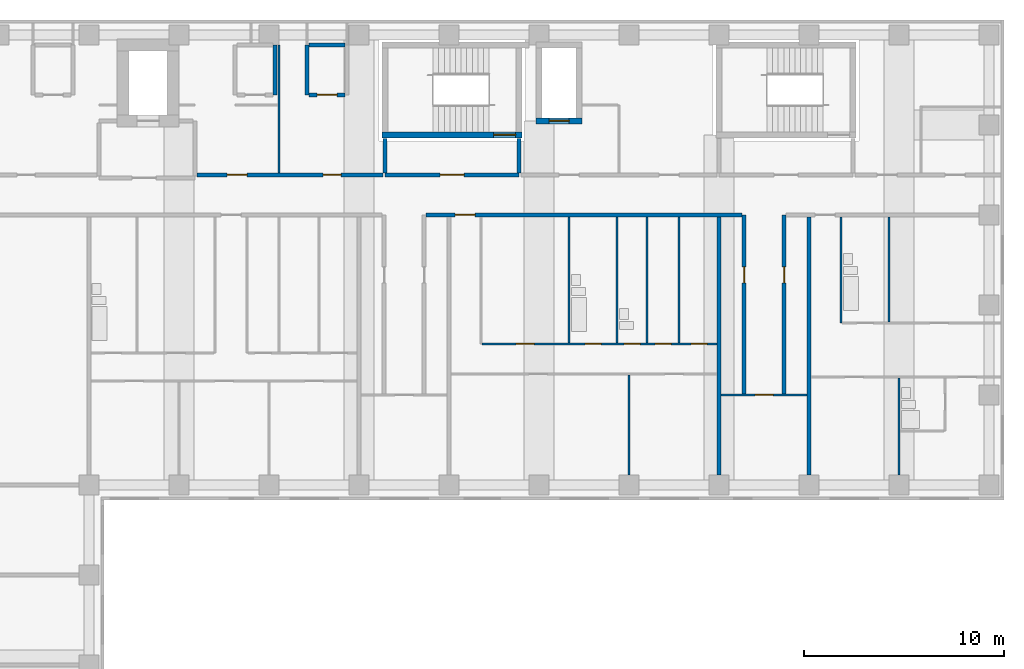
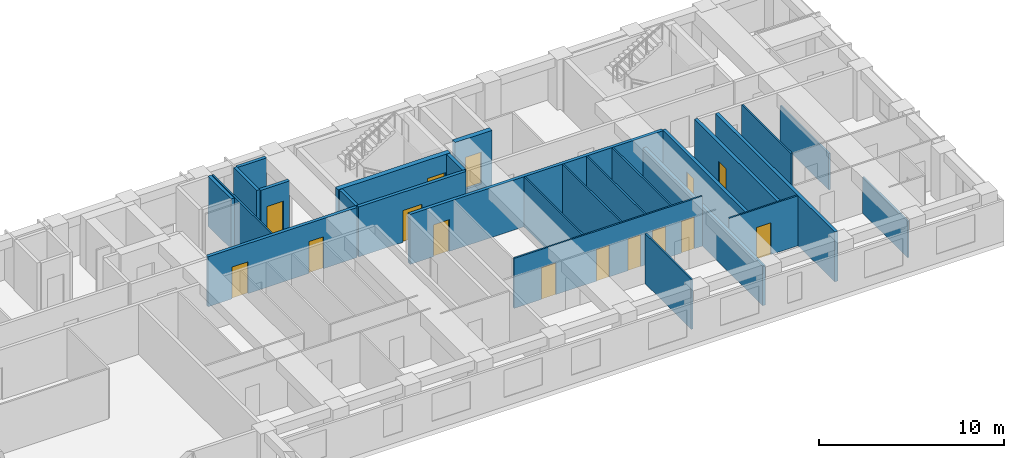
# One storey, part 7 of 11: 26 walls, 15 doors, 15 openings.
"""IFC4 building model written with IfcOpenShell, lengths in metres."""

from ifc_helpers import new_model, si_unit, direction, frame, frame_2d, origin, place, context, subcontext, project, spatial, rectangle, extrude, material, layer, layer_set, type_object, element, fill, save


model = new_model("IFC4")

# Units and contexts
model_context = context("Model", 3, precision=1e-05, world=origin(), true_north=direction((0.0, 1.0)))
body_context = subcontext(model_context, "Body", "Model", "MODEL_VIEW")
ifc_project = project(units=[si_unit("LENGTHUNIT", "METRE"), si_unit("AREAUNIT", "SQUARE_METRE"), si_unit("VOLUMEUNIT", "CUBIC_METRE"), si_unit("PLANEANGLEUNIT", "RADIAN"), si_unit("MASSUNIT", "GRAM", prefix="KILO")], contexts=[model_context])

# Site, building, storey
site_placement = place(None, origin())
site = spatial("IfcSite", under=ifc_project, at=site_placement, CompositionType="ELEMENT")
building_placement = place(site_placement, origin())
building = spatial("IfcBuilding", under=site, at=building_placement, Name="Firuza Court", CompositionType="ELEMENT")
storey_placement = place(building_placement, frame((0.0, 0.0, 130.39990234375)))
storey = spatial("IfcBuildingStorey", under=building, at=storey_placement, Name="L32", CompositionType="ELEMENT", Elevation=130.39990234375)

# Walls
ifc_material_1 = material(Name="Moisture-resistant gypsum board partition")
ifc_layer_1 = layer(ifc_material_1, 0.10009765625)
ifc_layer_set_1 = layer_set([ifc_layer_1], Name="Moisture-resistant gypsum board partition")
wall_type_1 = type_object("IfcWallType", Name="Bathroom partition 100", PredefinedType="PLUMBINGWALL", material=ifc_layer_set_1)
for number, where, z_axis, x_axis, name in (
    (1, (46.5, 43.10009765625, 0.0), (0.0, 0.0, 1.0), (0.0, 1.0, 0.0), "Bathroom partition 100 L32"),
    (2, (48.89990234375, 43.10009765625, 0.0), (0.0, 0.0, 1.0), (0.0, 1.0, 0.0), "Bathroom partition 100 L32"),
    (3, (50.39990234375, 43.10009765625, 0.0), (0.0, 0.0, 1.0), (0.0, 1.0, 0.0), "Bathroom partition 100 L32"),
):
    element("IfcWall", number, at=place(storey_placement, frame(where, z_axis=z_axis, x_axis=x_axis)), inside=storey, type_object=wall_type_1, Name=name, PredefinedType="PLUMBINGWALL", context=body_context, shape_type="SweptSolid", body=[
        extrude(rectangle(XDim=6.2998046875, YDim=0.10009765625, at=frame_2d((3.14990234375, 0.0))), origin(), (0.0, 0.0, 1.0), 3.300048828125),
    ])
wall_1_placement = place(storey_placement, frame((60.10009765625, 44.10009765625, 0.0), z_axis=(0.0, 0.0, 1.0), x_axis=(0.0, 1.0, 0.0)))
element("IfcWall", 4, at=wall_1_placement, inside=storey, type_object=wall_type_1, Name="Bathroom partition 100 L32", PredefinedType="PLUMBINGWALL", context=body_context, shape_type="SweptSolid", body=[
    extrude(rectangle(XDim=5.2998046875, YDim=0.10009765625, at=frame_2d((2.64990234375, 0.0))), origin(), (0.0, 0.0, 1.0), 3.300048828125),
])
wall_2_placement = place(storey_placement, frame((62.5, 44.14990234375, 0.0), z_axis=(0.0, 0.0, 1.0), x_axis=(0.0, 1.0, 0.0)))
element("IfcWall", 5, at=wall_2_placement, inside=storey, type_object=wall_type_1, Name="Bathroom partition 100 L32", PredefinedType="PLUMBINGWALL", context=body_context, shape_type="SweptSolid", body=[
    extrude(rectangle(XDim=5.25, YDim=0.10009765625, at=frame_2d((2.625, 0.0))), origin(), (0.0, 0.0, 1.0), 2.400146484375),
])

# Wall, opening, door
ifc_material_2 = material(Name="Concrete C60/75", Category="concrete")
ifc_layer_2 = layer(ifc_material_2, 0.300048828125)
ifc_layer_set_2 = layer_set([ifc_layer_2], Name="Concrete C60/75")
wall_type_2 = type_object("IfcWallType", Name="Core wall 300 C60/75", PredefinedType="SHEAR", material=ifc_layer_set_2)
wall_3_placement = place(storey_placement, frame((37.14990234375, 53.5, -0.2998046875), z_axis=(0.0, 0.0, 1.0), x_axis=(1.0, 0.0, 0.0)))
wall_3 = element("IfcWall", 6, at=wall_3_placement, inside=storey, type_object=wall_type_2, Name="Core wall stair L32", PredefinedType="SHEAR", context=body_context, shape_type="SweptSolid", body=[
    extrude(rectangle(XDim=7.0, YDim=0.300048828125, at=frame_2d((3.5, 0.0))), origin(), (0.0, 0.0, 1.0), 3.599853515625),
])
opening_1_placement = place(wall_3_placement, frame((5.580078125, 0.0, 0.300048828125)))
opening_1 = element("IfcOpeningElement", 7, at=opening_1_placement, cuts=wall_3, Name="Opening D32012", PredefinedType="OPENING", context=body_context, shape_type="SweptSolid", body=[
    extrude(rectangle(XDim=1.10009765625, YDim=2.10009765625, at=frame_2d((0.550048828125, 1.050048828125))), frame((0.0, 0.162109375, 0.0), z_axis=(0.0, -1.0, 0.0), x_axis=(1.0, 0.0, 0.0)), (0.0, 0.0, 1.0), 0.323974609375),
])
ifc_material_3 = material(Name="Timber door leaf in hardwood frame", Category="wood")
door_type_1 = type_object("IfcDoorType", Name="Stair door 1100", OperationType="SINGLE_SWING_LEFT", PredefinedType="DOOR", material=ifc_material_3)
door_1_placement = place(opening_1_placement, origin())
door_1 = element("IfcDoor", 8, at=door_1_placement, inside=storey, type_object=door_type_1, Name="Stair door S1", OperationType="SINGLE_SWING_RIGHT", OverallHeight=2.10009765625, OverallWidth=1.10009765625, PredefinedType="DOOR", context=body_context, shape_type="SweptSolid", body=[
    extrude(rectangle(XDim=1.10009765625, YDim=2.10009765625, at=frame_2d((0.550048828125, 1.050048828125))), frame((0.0, 0.02490234375, 0.0), z_axis=(0.0, -1.0, 0.0), x_axis=(1.0, 0.0, 0.0)), (0.0, 0.0, 1.0), 0.050048828125),
])
fill(opening_1, door_1)

wall_4_placement = place(storey_placement, frame((44.85009765625, 54.199951171875, -0.2998046875), z_axis=(0.0, 0.0, 1.0), x_axis=(1.0, 0.0, 0.0)))
wall_4 = element("IfcWall", 9, at=wall_4_placement, inside=storey, type_object=wall_type_2, Name="Core wall riser L32", PredefinedType="SHEAR", context=body_context, shape_type="SweptSolid", body=[
    extrude(rectangle(XDim=2.2998046875, YDim=0.300048828125, at=frame_2d((1.14990234375, 0.0))), origin(), (0.0, 0.0, 1.0), 3.599853515625),
])
opening_2_placement = place(wall_4_placement, frame((0.64990234375, 0.0, 0.300048828125)))
opening_2 = element("IfcOpeningElement", 10, at=opening_2_placement, cuts=wall_4, Name="Opening D32010", PredefinedType="OPENING", context=body_context, shape_type="SweptSolid", body=[
    extrude(rectangle(XDim=1.0, YDim=2.10009765625, at=frame_2d((0.5, 1.050048828125))), frame((0.0, 0.162109375, 0.0), z_axis=(0.0, -1.0, 0.0), x_axis=(1.0, 0.0, 0.0)), (0.0, 0.0, 1.0), 0.323974609375),
])
ifc_material_4 = material(Name="Timber door leaf in hardwood frame", Category="wood")
door_type_2 = type_object("IfcDoorType", Name="Riser door 1000", OperationType="SINGLE_SWING_LEFT", PredefinedType="DOOR", material=ifc_material_4)
door_2_placement = place(opening_2_placement, origin())
door_2 = element("IfcDoor", 11, at=door_2_placement, inside=storey, type_object=door_type_2, Name="Riser door R3", OperationType="SINGLE_SWING_LEFT", OverallHeight=2.10009765625, OverallWidth=1.0, PredefinedType="DOOR", context=body_context, shape_type="SweptSolid", body=[
    extrude(rectangle(XDim=1.0, YDim=2.10009765625, at=frame_2d((0.5, 1.050048828125))), frame((0.0, 0.02490234375, 0.0), z_axis=(0.0, -1.0, 0.0), x_axis=(1.0, 0.0, 0.0)), (0.0, 0.0, 1.0), 0.050048828125),
])
fill(opening_2, door_2)

ifc_material_5 = material(Name="Blockwork, plastered both sides", Category="masonry")
ifc_layer_3 = layer(ifc_material_5, 0.199951171875)
ifc_layer_set_3 = layer_set([ifc_layer_3], Name="Blockwork, plastered both sides")
wall_type_3 = type_object("IfcWallType", Name="Corridor wall 200", PredefinedType="PARTITIONING", material=ifc_layer_set_3)
wall_5_placement = place(storey_placement, frame((55.25, 40.550048828125, 0.0), z_axis=(0.0, 0.0, 1.0), x_axis=(0.0, 1.0, 0.0)))
wall_5 = element("IfcWall", 12, at=wall_5_placement, inside=storey, type_object=wall_type_3, Name="Corridor wall 200 L32", PredefinedType="PARTITIONING", context=body_context, shape_type="SweptSolid", body=[
    extrude(rectangle(XDim=8.949951171875, YDim=0.199951171875, at=frame_2d((4.47509765625, 0.0))), origin(), (0.0, 0.0, 1.0), 3.300048828125),
])
opening_3_placement = place(wall_5_placement, frame((5.550048828125, 0.0, 0.0)))
opening_3 = element("IfcOpeningElement", 13, at=opening_3_placement, cuts=wall_5, Name="Opening D32043", PredefinedType="OPENING", context=body_context, shape_type="SweptSolid", body=[
    extrude(rectangle(XDim=0.800048828125, YDim=2.10009765625, at=frame_2d((0.39990234375, 1.050048828125))), frame((0.0, 0.11181640625, 0.0), z_axis=(0.0, -1.0, 0.0), x_axis=(1.0, 0.0, 0.0)), (0.0, 0.0, 1.0), 0.223876953125),
])
ifc_material_6 = material(Name="Timber door leaf in hardwood frame", Category="wood")
door_type_3 = type_object("IfcDoorType", Name="Room door 800 EI 30", OperationType="SINGLE_SWING_LEFT", PredefinedType="DOOR", material=ifc_material_6)
door_3_placement = place(opening_3_placement, origin())
door_3 = element("IfcDoor", 14, at=door_3_placement, inside=storey, type_object=door_type_3, Name="Store door", OperationType="SINGLE_SWING_RIGHT", OverallHeight=2.10009765625, OverallWidth=0.800048828125, PredefinedType="DOOR", context=body_context, shape_type="SweptSolid", body=[
    extrude(rectangle(XDim=0.800048828125, YDim=2.10009765625, at=frame_2d((0.39990234375, 1.050048828125))), frame((0.0, 0.02490234375, 0.0), z_axis=(0.0, -1.0, 0.0), x_axis=(1.0, 0.0, 0.0)), (0.0, 0.0, 1.0), 0.050048828125),
])
fill(opening_3, door_3)

wall_6_placement = place(storey_placement, frame((57.25, 40.550048828125, 0.0), z_axis=(0.0, 0.0, 1.0), x_axis=(0.0, 1.0, 0.0)))
wall_6 = element("IfcWall", 15, at=wall_6_placement, inside=storey, type_object=wall_type_3, Name="Corridor wall 200 L32", PredefinedType="PARTITIONING", context=body_context, shape_type="SweptSolid", body=[
    extrude(rectangle(XDim=8.949951171875, YDim=0.199951171875, at=frame_2d((4.47509765625, 0.0))), origin(), (0.0, 0.0, 1.0), 3.300048828125),
])
opening_4_placement = place(wall_6_placement, frame((5.550048828125, 0.0, 0.0)))
opening_4 = element("IfcOpeningElement", 16, at=opening_4_placement, cuts=wall_6, Name="Opening D32044", PredefinedType="OPENING", context=body_context, shape_type="SweptSolid", body=[
    extrude(rectangle(XDim=0.800048828125, YDim=2.10009765625, at=frame_2d((0.39990234375, 1.050048828125))), frame((0.0, 0.11181640625, 0.0), z_axis=(0.0, -1.0, 0.0), x_axis=(1.0, 0.0, 0.0)), (0.0, 0.0, 1.0), 0.223876953125),
])
door_4_placement = place(opening_4_placement, frame((0.800048828125, 0.0, 0.0), z_axis=(0.0, 0.0, 1.0), x_axis=(-1.0, 0.0, 0.0)))
door_4 = element("IfcDoor", 17, at=door_4_placement, inside=storey, type_object=door_type_3, Name="Store door", OperationType="SINGLE_SWING_LEFT", OverallHeight=2.10009765625, OverallWidth=0.800048828125, PredefinedType="DOOR", context=body_context, shape_type="SweptSolid", body=[
    extrude(rectangle(XDim=0.800048828125, YDim=2.10009765625, at=frame_2d((0.39990234375, 1.050048828125))), frame((0.0, 0.02490234375, 0.0), z_axis=(0.0, -1.0, 0.0), x_axis=(1.0, 0.0, 0.0)), (0.0, 0.0, 1.0), 0.050048828125),
])
fill(opening_4, door_4)

wall_7_placement = place(storey_placement, frame((39.35009765625, 49.5, 0.0), z_axis=(0.0, 0.0, 1.0), x_axis=(1.0, 0.0, 0.0)))
wall_7 = element("IfcWall", 18, at=wall_7_placement, inside=storey, type_object=wall_type_3, Name="Corridor wall 200 L32", PredefinedType="PARTITIONING", context=body_context, shape_type="SweptSolid", body=[
    extrude(rectangle(XDim=15.7998046875, YDim=0.199951171875, at=frame_2d((7.89990234375, 0.0))), origin(), (0.0, 0.0, 1.0), 3.300048828125),
])
opening_5_placement = place(wall_7_placement, frame((1.449951171875, 0.0, 0.0)))
opening_5 = element("IfcOpeningElement", 19, at=opening_5_placement, cuts=wall_7, Name="Opening D32066", PredefinedType="OPENING", context=body_context, shape_type="SweptSolid", body=[
    extrude(rectangle(XDim=1.0, YDim=2.10009765625, at=frame_2d((0.5, 1.050048828125))), frame((0.0, 0.11181640625, 0.0), z_axis=(0.0, -1.0, 0.0), x_axis=(1.0, 0.0, 0.0)), (0.0, 0.0, 1.0), 0.223876953125),
])
ifc_material_7 = material(Name="Timber door leaf in hardwood frame", Category="wood")
door_type_4 = type_object("IfcDoorType", Name="Flat entrance door 1000", OperationType="SINGLE_SWING_LEFT", PredefinedType="DOOR", material=ifc_material_7)
door_5_placement = place(opening_5_placement, origin())
door_5 = element("IfcDoor", 20, at=door_5_placement, inside=storey, type_object=door_type_4, Name="Flat entrance door", OperationType="SINGLE_SWING_LEFT", OverallHeight=2.10009765625, OverallWidth=1.0, PredefinedType="DOOR", context=body_context, shape_type="SweptSolid", body=[
    extrude(rectangle(XDim=1.0, YDim=2.10009765625, at=frame_2d((0.5, 1.050048828125))), frame((0.0, 0.02490234375, 0.0), z_axis=(0.0, -1.0, 0.0), x_axis=(1.0, 0.0, 0.0)), (0.0, 0.0, 1.0), 0.050048828125),
])
fill(opening_5, door_5)

# Wall, openings, doors
wall_8_placement = place(storey_placement, frame((27.89990234375, 51.5, 0.0), z_axis=(0.0, 0.0, 1.0), x_axis=(1.0, 0.0, 0.0)))
wall_8 = element("IfcWall", 21, at=wall_8_placement, inside=storey, type_object=wall_type_3, Name="Corridor wall 200 L32", PredefinedType="PARTITIONING", context=body_context, shape_type="SweptSolid", body=[
    extrude(rectangle(XDim=9.300048828125, YDim=0.199951171875, at=frame_2d((4.64990234375, 0.0))), origin(), (0.0, 0.0, 1.0), 3.300048828125),
])
opening_6_placement = place(wall_8_placement, frame((1.5, 0.0, 0.0)))
opening_6 = element("IfcOpeningElement", 22, at=opening_6_placement, cuts=wall_8, Name="Opening D32070", PredefinedType="OPENING", context=body_context, shape_type="SweptSolid", body=[
    extrude(rectangle(XDim=1.0, YDim=2.10009765625, at=frame_2d((0.5, 1.050048828125))), frame((0.0, 0.11181640625, 0.0), z_axis=(0.0, -1.0, 0.0), x_axis=(1.0, 0.0, 0.0)), (0.0, 0.0, 1.0), 0.223876953125),
])
opening_7_placement = place(wall_8_placement, frame((6.300048828125, 0.0, 0.0)))
opening_7 = element("IfcOpeningElement", 23, at=opening_7_placement, cuts=wall_8, Name="Opening D32071", PredefinedType="OPENING", context=body_context, shape_type="SweptSolid", body=[
    extrude(rectangle(XDim=0.89990234375, YDim=2.10009765625, at=frame_2d((0.449951171875, 1.050048828125))), frame((0.0, 0.11181640625, 0.0), z_axis=(0.0, -1.0, 0.0), x_axis=(1.0, 0.0, 0.0)), (0.0, 0.0, 1.0), 0.223876953125),
])
ifc_material_8 = material(Name="Timber door leaf in hardwood frame", Category="wood")
door_type_5 = type_object("IfcDoorType", Name="Room door 900 EI 30", OperationType="SINGLE_SWING_LEFT", PredefinedType="DOOR", material=ifc_material_8)
door_6_placement = place(opening_7_placement, origin())
door_6 = element("IfcDoor", 24, at=door_6_placement, inside=storey, type_object=door_type_5, Name="Staff pantry door", OperationType="SINGLE_SWING_LEFT", OverallHeight=2.10009765625, OverallWidth=0.89990234375, PredefinedType="DOOR", context=body_context, shape_type="SweptSolid", body=[
    extrude(rectangle(XDim=0.89990234375, YDim=2.10009765625, at=frame_2d((0.449951171875, 1.050048828125))), frame((0.0, 0.02490234375, 0.0), z_axis=(0.0, -1.0, 0.0), x_axis=(1.0, 0.0, 0.0)), (0.0, 0.0, 1.0), 0.050048828125),
])
fill(opening_7, door_6)
ifc_material_9 = material(Name="Timber door leaf in hardwood frame", Category="wood")
door_type_6 = type_object("IfcDoorType", Name="Store door 1000", OperationType="SINGLE_SWING_LEFT", PredefinedType="DOOR", material=ifc_material_9)
door_7_placement = place(opening_6_placement, origin())
door_7 = element("IfcDoor", 25, at=door_7_placement, inside=storey, type_object=door_type_6, Name="Parcel room door", OperationType="SINGLE_SWING_LEFT", OverallHeight=2.10009765625, OverallWidth=1.0, PredefinedType="DOOR", context=body_context, shape_type="SweptSolid", body=[
    extrude(rectangle(XDim=1.0, YDim=2.10009765625, at=frame_2d((0.5, 1.050048828125))), frame((0.0, 0.02490234375, 0.0), z_axis=(0.0, -1.0, 0.0), x_axis=(1.0, 0.0, 0.0)), (0.0, 0.0, 1.0), 0.050048828125),
])
fill(opening_6, door_7)

# Walls
ifc_material_10 = material(Name="Timber stud partition, plasterboard both sides", Category="wood")
ifc_layer_4 = layer(ifc_material_10, 0.10009765625)
ifc_layer_set_4 = layer_set([ifc_layer_4], Name="Timber stud partition, plasterboard both sides")
wall_type_4 = type_object("IfcWallType", Name="Partition wall 100", PredefinedType="PARTITIONING", material=ifc_layer_set_4)
wall_9_placement = place(storey_placement, frame((49.5, 36.5, 0.0), z_axis=(0.0, 0.0, 1.0), x_axis=(0.0, 1.0, 0.0)))
element("IfcWall", 26, at=wall_9_placement, inside=storey, type_object=wall_type_4, Name="Partition wall 100 L32", PredefinedType="PARTITIONING", context=body_context, shape_type="SweptSolid", body=[
    extrude(rectangle(XDim=5.0, YDim=0.10009765625, at=frame_2d((2.5, 0.0))), origin(), (0.0, 0.0, 1.0), 3.300048828125),
])
wall_10_placement = place(storey_placement, frame((63.0, 36.5, 0.0), z_axis=(0.0, 0.0, 1.0), x_axis=(0.0, 1.0, 0.0)))
element("IfcWall", 27, at=wall_10_placement, inside=storey, type_object=wall_type_4, Name="Partition wall 100 L32", PredefinedType="PARTITIONING", context=body_context, shape_type="SweptSolid", body=[
    extrude(rectangle(XDim=4.85009765625, YDim=0.10009765625, at=frame_2d((2.425048828125, 0.0))), origin(), (0.0, 0.0, 1.0), 2.400146484375),
])

# Wall, opening, door
wall_11_placement = place(storey_placement, frame((54.10009765625, 40.5, 0.0), z_axis=(0.0, 0.0, 1.0), x_axis=(1.0, 0.0, 0.0)))
wall_11 = element("IfcWall", 28, at=wall_11_placement, inside=storey, type_object=wall_type_4, Name="Partition wall 100 L32", PredefinedType="PARTITIONING", context=body_context, shape_type="SweptSolid", body=[
    extrude(rectangle(XDim=4.2998046875, YDim=0.10009765625, at=frame_2d((2.14990234375, 0.0))), origin(), (0.0, 0.0, 1.0), 3.300048828125),
])
opening_8_placement = place(wall_11_placement, frame((1.699951171875, 0.0, 0.0)))
opening_8 = element("IfcOpeningElement", 29, at=opening_8_placement, cuts=wall_11, Name="Opening D32040", PredefinedType="OPENING", context=body_context, shape_type="SweptSolid", body=[
    extrude(rectangle(XDim=0.89990234375, YDim=2.10009765625, at=frame_2d((0.449951171875, 1.050048828125))), frame((0.0, 0.06201171875, 0.0), z_axis=(0.0, -1.0, 0.0), x_axis=(1.0, 0.0, 0.0)), (0.0, 0.0, 1.0), 0.1240234375),
])
ifc_material_11 = material(Name="Timber door leaf in hardwood frame", Category="wood")
door_type_7 = type_object("IfcDoorType", Name="Room door 900", OperationType="SINGLE_SWING_LEFT", PredefinedType="DOOR", material=ifc_material_11)
door_8_placement = place(opening_8_placement, origin())
door_8 = element("IfcDoor", 30, at=door_8_placement, inside=storey, type_object=door_type_7, Name="Residents' lounge door", OperationType="SINGLE_SWING_LEFT", OverallHeight=2.10009765625, OverallWidth=0.89990234375, PredefinedType="DOOR", context=body_context, shape_type="SweptSolid", body=[
    extrude(rectangle(XDim=0.89990234375, YDim=2.10009765625, at=frame_2d((0.449951171875, 1.050048828125))), frame((0.0, 0.02490234375, 0.0), z_axis=(0.0, -1.0, 0.0), x_axis=(1.0, 0.0, 0.0)), (0.0, 0.0, 1.0), 0.050048828125),
])
fill(opening_8, door_8)

# Wall, openings, doors
wall_12_placement = place(storey_placement, frame((42.14990234375, 43.050048828125, 0.0), z_axis=(0.0, 0.0, 1.0), x_axis=(1.0, 0.0, 0.0)))
wall_12 = element("IfcWall", 31, at=wall_12_placement, inside=storey, type_object=wall_type_4, Name="Partition wall 100 L32", PredefinedType="PARTITIONING", context=body_context, shape_type="SweptSolid", body=[
    extrude(rectangle(XDim=11.75, YDim=0.10009765625, at=frame_2d((5.875, 0.0))), origin(), (0.0, 0.0, 1.0), 3.300048828125),
])
opening_9_placement = place(wall_12_placement, frame((5.14990234375, 0.0, 0.0)))
opening_9 = element("IfcOpeningElement", 32, at=opening_9_placement, cuts=wall_12, Name="Opening D32057", PredefinedType="OPENING", context=body_context, shape_type="SweptSolid", body=[
    extrude(rectangle(XDim=0.800048828125, YDim=2.10009765625, at=frame_2d((0.39990234375, 1.050048828125))), frame((0.0, 0.06201171875, 0.0), z_axis=(0.0, -1.0, 0.0), x_axis=(1.0, 0.0, 0.0)), (0.0, 0.0, 1.0), 0.1240234375),
])
opening_10_placement = place(wall_12_placement, frame((1.699951171875, 0.0, 0.0)))
opening_10 = element("IfcOpeningElement", 33, at=opening_10_placement, cuts=wall_12, Name="Opening D32058", PredefinedType="OPENING", context=body_context, shape_type="SweptSolid", body=[
    extrude(rectangle(XDim=0.89990234375, YDim=2.10009765625, at=frame_2d((0.449951171875, 1.050048828125))), frame((0.0, 0.06201171875, 0.0), z_axis=(0.0, -1.0, 0.0), x_axis=(1.0, 0.0, 0.0)), (0.0, 0.0, 1.0), 0.1240234375),
])
opening_11_placement = place(wall_12_placement, frame((8.64990234375, 0.0, 0.0)))
opening_11 = element("IfcOpeningElement", 34, at=opening_11_placement, cuts=wall_12, Name="Opening D32059", PredefinedType="OPENING", context=body_context, shape_type="SweptSolid", body=[
    extrude(rectangle(XDim=0.800048828125, YDim=2.10009765625, at=frame_2d((0.39990234375, 1.050048828125))), frame((0.0, 0.06201171875, 0.0), z_axis=(0.0, -1.0, 0.0), x_axis=(1.0, 0.0, 0.0)), (0.0, 0.0, 1.0), 0.1240234375),
])
opening_12_placement = place(wall_12_placement, frame((10.449951171875, 0.0, 0.0)))
opening_12 = element("IfcOpeningElement", 35, at=opening_12_placement, cuts=wall_12, Name="Opening D32060", PredefinedType="OPENING", context=body_context, shape_type="SweptSolid", body=[
    extrude(rectangle(XDim=0.800048828125, YDim=2.10009765625, at=frame_2d((0.39990234375, 1.050048828125))), frame((0.0, 0.06201171875, 0.0), z_axis=(0.0, -1.0, 0.0), x_axis=(1.0, 0.0, 0.0)), (0.0, 0.0, 1.0), 0.1240234375),
])
opening_13_placement = place(wall_12_placement, frame((7.10009765625, 0.0, 0.0)))
opening_13 = element("IfcOpeningElement", 36, at=opening_13_placement, cuts=wall_12, Name="Opening D32061", PredefinedType="OPENING", context=body_context, shape_type="SweptSolid", body=[
    extrude(rectangle(XDim=0.800048828125, YDim=2.10009765625, at=frame_2d((0.39990234375, 1.050048828125))), frame((0.0, 0.06201171875, 0.0), z_axis=(0.0, -1.0, 0.0), x_axis=(1.0, 0.0, 0.0)), (0.0, 0.0, 1.0), 0.1240234375),
])
ifc_material_12 = material(Name="Timber door leaf in hardwood frame", Category="wood")
door_type_8 = type_object("IfcDoorType", Name="Bathroom door 800", OperationType="SINGLE_SWING_LEFT", PredefinedType="DOOR", material=ifc_material_12)
door_9_placement = place(opening_9_placement, origin())
door_9 = element("IfcDoor", 37, at=door_9_placement, inside=storey, type_object=door_type_8, Name="Bathroom door", OperationType="SINGLE_SWING_LEFT", OverallHeight=2.10009765625, OverallWidth=0.800048828125, PredefinedType="DOOR", context=body_context, shape_type="SweptSolid", body=[
    extrude(rectangle(XDim=0.800048828125, YDim=2.10009765625, at=frame_2d((0.39990234375, 1.050048828125))), frame((0.0, 0.02490234375, 0.0), z_axis=(0.0, -1.0, 0.0), x_axis=(1.0, 0.0, 0.0)), (0.0, 0.0, 1.0), 0.050048828125),
])
fill(opening_9, door_9)
door_10_placement = place(opening_13_placement, origin())
door_10 = element("IfcDoor", 38, at=door_10_placement, inside=storey, type_object=door_type_8, Name="Powder room door", OperationType="SINGLE_SWING_LEFT", OverallHeight=2.10009765625, OverallWidth=0.800048828125, PredefinedType="DOOR", context=body_context, shape_type="SweptSolid", body=[
    extrude(rectangle(XDim=0.800048828125, YDim=2.10009765625, at=frame_2d((0.39990234375, 1.050048828125))), frame((0.0, 0.02490234375, 0.0), z_axis=(0.0, -1.0, 0.0), x_axis=(1.0, 0.0, 0.0)), (0.0, 0.0, 1.0), 0.050048828125),
])
fill(opening_13, door_10)
ifc_material_13 = material(Name="Timber door leaf in hardwood frame", Category="wood")
door_type_9 = type_object("IfcDoorType", Name="Room door 800", OperationType="SINGLE_SWING_LEFT", PredefinedType="DOOR", material=ifc_material_13)
door_11_placement = place(opening_11_placement, origin())
door_11 = element("IfcDoor", 39, at=door_11_placement, inside=storey, type_object=door_type_9, Name="Store door", OperationType="SINGLE_SWING_LEFT", OverallHeight=2.10009765625, OverallWidth=0.800048828125, PredefinedType="DOOR", context=body_context, shape_type="SweptSolid", body=[
    extrude(rectangle(XDim=0.800048828125, YDim=2.10009765625, at=frame_2d((0.39990234375, 1.050048828125))), frame((0.0, 0.02490234375, 0.0), z_axis=(0.0, -1.0, 0.0), x_axis=(1.0, 0.0, 0.0)), (0.0, 0.0, 1.0), 0.050048828125),
])
fill(opening_11, door_11)
door_12_placement = place(opening_12_placement, origin())
door_12 = element("IfcDoor", 40, at=door_12_placement, inside=storey, type_object=door_type_9, Name="Utility room door", OperationType="SINGLE_SWING_LEFT", OverallHeight=2.10009765625, OverallWidth=0.800048828125, PredefinedType="DOOR", context=body_context, shape_type="SweptSolid", body=[
    extrude(rectangle(XDim=0.800048828125, YDim=2.10009765625, at=frame_2d((0.39990234375, 1.050048828125))), frame((0.0, 0.02490234375, 0.0), z_axis=(0.0, -1.0, 0.0), x_axis=(1.0, 0.0, 0.0)), (0.0, 0.0, 1.0), 0.050048828125),
])
fill(opening_12, door_12)
door_13_placement = place(opening_10_placement, origin())
door_13 = element("IfcDoor", 41, at=door_13_placement, inside=storey, type_object=door_type_7, Name="Kitchen door", OperationType="SINGLE_SWING_LEFT", OverallHeight=2.10009765625, OverallWidth=0.89990234375, PredefinedType="DOOR", context=body_context, shape_type="SweptSolid", body=[
    extrude(rectangle(XDim=0.89990234375, YDim=2.10009765625, at=frame_2d((0.449951171875, 1.050048828125))), frame((0.0, 0.02490234375, 0.0), z_axis=(0.0, -1.0, 0.0), x_axis=(1.0, 0.0, 0.0)), (0.0, 0.0, 1.0), 0.050048828125),
])
fill(opening_10, door_13)

# Walls
wall_13_placement = place(storey_placement, frame((52.0, 43.10009765625, 0.0), z_axis=(0.0, 0.0, 1.0), x_axis=(0.0, 1.0, 0.0)))
element("IfcWall", 42, at=wall_13_placement, inside=storey, type_object=wall_type_4, Name="Partition wall 100 L32", PredefinedType="PARTITIONING", context=body_context, shape_type="SweptSolid", body=[
    extrude(rectangle(XDim=6.2998046875, YDim=0.10009765625, at=frame_2d((3.14990234375, 0.0))), origin(), (0.0, 0.0, 1.0), 3.300048828125),
])
wall_14_placement = place(storey_placement, frame((32.0, 51.60009765625, 0.0), z_axis=(0.0, 0.0, 1.0), x_axis=(0.0, 1.0, 0.0)))
element("IfcWall", 43, at=wall_14_placement, inside=storey, type_object=wall_type_4, Name="Partition wall 100 L32", PredefinedType="PARTITIONING", context=body_context, shape_type="SweptSolid", body=[
    extrude(rectangle(XDim=6.39990234375, YDim=0.10009765625, at=frame_2d((3.199951171875, 0.0))), origin(), (0.0, 0.0, 1.0), 3.300048828125),
])
ifc_layer_5 = layer(ifc_material_5, 0.199951171875)
ifc_layer_set_5 = layer_set([ifc_layer_5], Name="Blockwork, plastered both sides")
wall_type_5 = type_object("IfcWallType", Name="Party wall 200", PredefinedType="PARTITIONING", material=ifc_layer_set_5)
wall_15_placement = place(storey_placement, frame((54.0, 36.5, 0.0), z_axis=(0.0, 0.0, 1.0), x_axis=(0.0, 1.0, 0.0)))
element("IfcWall", 44, at=wall_15_placement, inside=storey, type_object=wall_type_5, Name="Party wall 200 L32", PredefinedType="PARTITIONING", context=body_context, shape_type="SweptSolid", body=[
    extrude(rectangle(XDim=12.89990234375, YDim=0.199951171875, at=frame_2d((6.449951171875, 0.0))), origin(), (0.0, 0.0, 1.0), 2.60009765625),
])
wall_16_placement = place(storey_placement, frame((58.5, 36.5, 0.0), z_axis=(0.0, 0.0, 1.0), x_axis=(0.0, 1.0, 0.0)))
element("IfcWall", 45, at=wall_16_placement, inside=storey, type_object=wall_type_5, Name="Party wall 200 L32", PredefinedType="PARTITIONING", context=body_context, shape_type="SweptSolid", body=[
    extrude(rectangle(XDim=12.89990234375, YDim=0.199951171875, at=frame_2d((6.449951171875, 0.0))), origin(), (0.0, 0.0, 1.0), 3.300048828125),
])
ifc_material_14 = material(Name="Blockwork, fire-rated", Category="masonry")
ifc_layer_6 = layer(ifc_material_14, 0.199951171875)
ifc_layer_set_6 = layer_set([ifc_layer_6], Name="Blockwork, fire-rated")
wall_type_6 = type_object("IfcWallType", Name="Plant room wall 200", PredefinedType="PARTITIONING", material=ifc_layer_set_6)
for number, where, z_axis, x_axis, name in (
    (46, (31.800048828125, 55.5, 0.0), (0.0, 0.0, 1.0), (0.0, 1.0, 0.0), "Plant room wall 200 L32"),
    (47, (33.39990234375, 55.5, 0.0), (0.0, 0.0, 1.0), (0.0, 1.0, 0.0), "Plant room wall 200 L32"),
):
    element("IfcWall", number, at=place(storey_placement, frame(where, z_axis=z_axis, x_axis=x_axis)), inside=storey, type_object=wall_type_6, Name=name, PredefinedType="PARTITIONING", context=body_context, shape_type="SweptSolid", body=[
        extrude(rectangle(XDim=2.5, YDim=0.199951171875, at=frame_2d((1.25, 0.0))), origin(), (0.0, 0.0, 1.0), 3.300048828125),
    ])

# Wall, opening, door
wall_17_placement = place(storey_placement, frame((33.5, 55.5, 0.0), z_axis=(0.0, 0.0, 1.0), x_axis=(1.0, 0.0, 0.0)))
wall_17 = element("IfcWall", 48, at=wall_17_placement, inside=storey, type_object=wall_type_6, Name="Plant room wall 200 L32", PredefinedType="PARTITIONING", context=body_context, shape_type="SweptSolid", body=[
    extrude(rectangle(XDim=1.800048828125, YDim=0.199951171875, at=frame_2d((0.89990234375, 0.0))), origin(), (0.0, 0.0, 1.0), 3.300048828125),
])
opening_14_placement = place(wall_17_placement, frame((0.39990234375, 0.0, 0.0)))
opening_14 = element("IfcOpeningElement", 49, at=opening_14_placement, cuts=wall_17, Name="Opening D32080", PredefinedType="OPENING", context=body_context, shape_type="SweptSolid", body=[
    extrude(rectangle(XDim=1.0, YDim=2.10009765625, at=frame_2d((0.5, 1.050048828125))), frame((0.0, 0.11181640625, 0.0), z_axis=(0.0, -1.0, 0.0), x_axis=(1.0, 0.0, 0.0)), (0.0, 0.0, 1.0), 0.223876953125),
])
door_14_placement = place(opening_14_placement, origin())
door_14 = element("IfcDoor", 50, at=door_14_placement, inside=storey, type_object=door_type_2, Name="Duct riser door", OperationType="SINGLE_SWING_LEFT", OverallHeight=2.10009765625, OverallWidth=1.0, PredefinedType="DOOR", context=body_context, shape_type="SweptSolid", body=[
    extrude(rectangle(XDim=1.0, YDim=2.10009765625, at=frame_2d((0.5, 1.050048828125))), frame((0.0, 0.02490234375, 0.0), z_axis=(0.0, -1.0, 0.0), x_axis=(1.0, 0.0, 0.0)), (0.0, 0.0, 1.0), 0.050048828125),
])
fill(opening_14, door_14)

# Wall
wall_18_placement = place(storey_placement, frame((33.5, 58.0, 0.0), z_axis=(0.0, 0.0, 1.0), x_axis=(1.0, 0.0, 0.0)))
element("IfcWall", 51, at=wall_18_placement, inside=storey, type_object=wall_type_6, Name="Plant room wall 200 L32", PredefinedType="PARTITIONING", context=body_context, shape_type="SweptSolid", body=[
    extrude(rectangle(XDim=1.800048828125, YDim=0.199951171875, at=frame_2d((0.89990234375, 0.0))), origin(), (0.0, 0.0, 1.0), 3.300048828125),
])

# Wall, opening, door
ifc_layer_7 = layer(ifc_material_14, 0.199951171875)
ifc_layer_set_7 = layer_set([ifc_layer_7], Name="Blockwork, fire-rated")
wall_type_7 = type_object("IfcWallType", Name="Shaft wall 200", PredefinedType="PARTITIONING", material=ifc_layer_set_7)
wall_19_placement = place(storey_placement, frame((37.300048828125, 51.5, 0.0), z_axis=(0.0, 0.0, 1.0), x_axis=(1.0, 0.0, 0.0)))
wall_19 = element("IfcWall", 52, at=wall_19_placement, inside=storey, type_object=wall_type_7, Name="Shaft wall 200 L32", PredefinedType="PARTITIONING", context=body_context, shape_type="SweptSolid", body=[
    extrude(rectangle(XDim=6.699951171875, YDim=0.199951171875, at=frame_2d((3.35009765625, 0.0))), origin(), (0.0, 0.0, 1.0), 3.300048828125),
])
opening_15_placement = place(wall_19_placement, frame((2.75, 0.0, 0.0)))
opening_15 = element("IfcOpeningElement", 53, at=opening_15_placement, cuts=wall_19, Name="Opening D32006", PredefinedType="OPENING", context=body_context, shape_type="SweptSolid", body=[
    extrude(rectangle(XDim=1.199951171875, YDim=2.10009765625, at=frame_2d((0.60009765625, 1.050048828125))), frame((0.0, 0.11181640625, 0.0), z_axis=(0.0, -1.0, 0.0), x_axis=(1.0, 0.0, 0.0)), (0.0, 0.0, 1.0), 0.223876953125),
])
ifc_material_15 = material(Name="Timber door leaf in hardwood frame", Category="wood")
door_type_10 = type_object("IfcDoorType", Name="Lobby door 1200", OperationType="SINGLE_SWING_LEFT", PredefinedType="DOOR", material=ifc_material_15)
door_15_placement = place(opening_15_placement, origin())
door_15 = element("IfcDoor", 54, at=door_15_placement, inside=storey, type_object=door_type_10, Name="Lobby door", OperationType="SINGLE_SWING_LEFT", OverallHeight=2.10009765625, OverallWidth=1.199951171875, PredefinedType="DOOR", context=body_context, shape_type="SweptSolid", body=[
    extrude(rectangle(XDim=1.199951171875, YDim=2.10009765625, at=frame_2d((0.60009765625, 1.050048828125))), frame((0.0, 0.02490234375, 0.0), z_axis=(0.0, -1.0, 0.0), x_axis=(1.0, 0.0, 0.0)), (0.0, 0.0, 1.0), 0.050048828125),
])
fill(opening_15, door_15)

# Walls
for number, where, z_axis, x_axis, name in (
    (55, (44.0, 51.60009765625, 0.0), (0.0, 0.0, 1.0), (0.0, 1.0, 0.0), "Shaft wall 200 L32"),
    (56, (37.300048828125, 51.60009765625, 0.0), (0.0, 0.0, 1.0), (0.0, 1.0, 0.0), "Shaft wall 200 L32"),
):
    element("IfcWall", number, at=place(storey_placement, frame(where, z_axis=z_axis, x_axis=x_axis)), inside=storey, type_object=wall_type_7, Name=name, PredefinedType="PARTITIONING", context=body_context, shape_type="SweptSolid", body=[
        extrude(rectangle(XDim=1.72998046875, YDim=0.199951171875, at=frame_2d((0.864990234375, 0.0))), origin(), (0.0, 0.0, 1.0), 3.300048828125),
    ])

save(model, "model.ifc")
